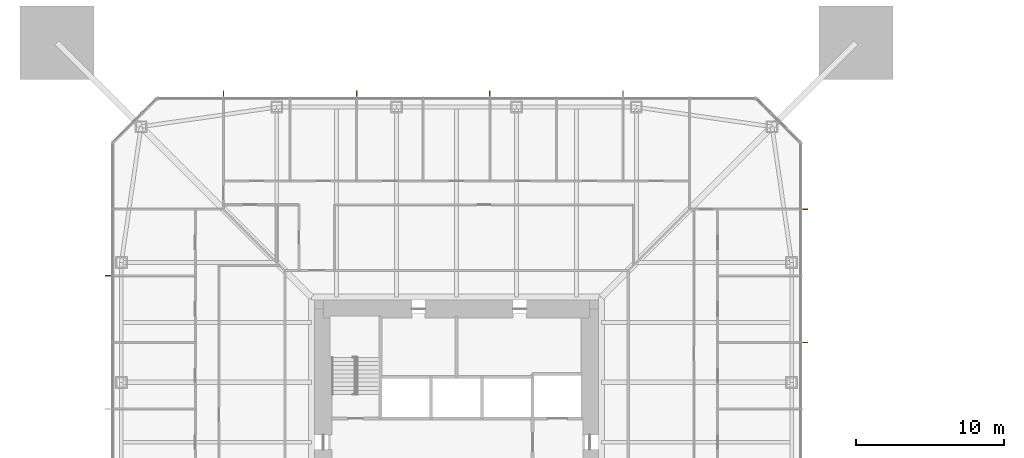
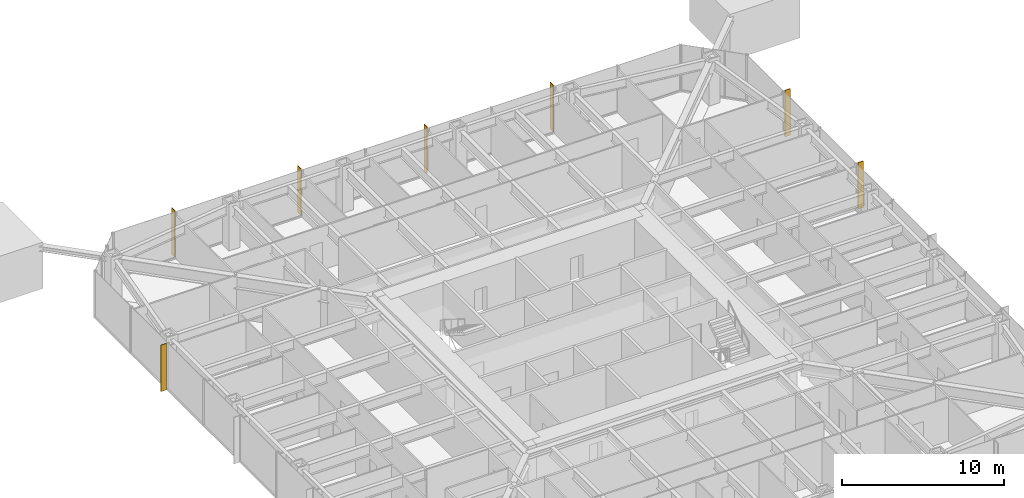
# One storey, part 25 of 26: 7 shading devices.
"""IFC4 building model written with IfcOpenShell, lengths in metres."""

from ifc_helpers import new_model, si_unit, direction, frame, origin, origin_2d, place, context, subcontext, project, spatial, rectangle, extrude, material, layer, layer_set, type_object, element, save


model = new_model("IFC4")

# Units and contexts
model_context = context("Model", 3, precision=1e-05, world=origin(), true_north=direction((0.0, 1.0)))
body_context = subcontext(model_context, "Body", "Model", "MODEL_VIEW")
ifc_project = project(units=[si_unit("LENGTHUNIT", "METRE"), si_unit("AREAUNIT", "SQUARE_METRE"), si_unit("VOLUMEUNIT", "CUBIC_METRE"), si_unit("PLANEANGLEUNIT", "RADIAN"), si_unit("MASSUNIT", "GRAM", prefix="KILO")], contexts=[model_context])

# Site, building, storey
site_placement = place(None, origin())
site = spatial("IfcSite", under=ifc_project, at=site_placement, CompositionType="ELEMENT")
building_placement = place(site_placement, origin())
building = spatial("IfcBuilding", under=site, at=building_placement, Name="Iwan Alto Co-Living Towers", CompositionType="ELEMENT")
storey_placement = place(building_placement, frame((0.0, 0.0, 22.0)))
storey = spatial("IfcBuildingStorey", under=building, at=storey_placement, Name="L05", CompositionType="ELEMENT", Elevation=22.0)

# Shading devices
ifc_material = material(Name="Aluminium 6063-T6 bronze anodised", Category="aluminium")
ifc_layer = layer(ifc_material, 0.050048828125)
ifc_layer_set = layer_set([ifc_layer], Name="BRONZE FIN 50X400")
shading_device_type = type_object("IfcShadingDeviceType", Name="BRONZE FIN 50X400", PredefinedType="USERDEFINED", material=ifc_layer_set)
for number, where, z_axis, x_axis, name in (
    (1, (23.550048828125, 6.75, 0.0), (0.0, 0.0, 1.0), (0.0, 1.0, 0.0), "Bronze fin L05"),
    (2, (23.550048828125, 15.75, 0.0), (0.0, 0.0, 1.0), (0.0, 1.0, 0.0), "Bronze fin L05"),
    (3, (11.25, 23.550048828125, 0.0), (0.0, 0.0, 1.0), (-1.0, 0.0, 0.0), "Bronze fin L05"),
    (4, (2.25, 23.550048828125, 0.0), (0.0, 0.0, 1.0), (-1.0, 0.0, 0.0), "Bronze fin L05"),
    (5, (-6.75, 23.550048828125, 0.0), (0.0, 0.0, 1.0), (-1.0, 0.0, 0.0), "Bronze fin L05"),
    (6, (-15.75, 23.550048828125, 0.0), (0.0, 0.0, 1.0), (-1.0, 0.0, 0.0), "Bronze fin L05"),
    (7, (-23.550048828125, 11.25, 0.0), (0.0, 0.0, 1.0), (0.0, -1.0, 0.0), "Bronze fin L05"),
):
    element("IfcShadingDevice", number, at=place(storey_placement, frame(where, z_axis=z_axis, x_axis=x_axis)), inside=storey, type_object=shading_device_type, Name=name, ObjectType="LOUVER", PredefinedType="USERDEFINED", context=body_context, shape_type="SweptSolid", body=[
        extrude(rectangle(XDim=0.050048828125, YDim=0.39990234375, at=origin_2d()), origin(), (0.0, 0.0, 1.0), 3.5),
    ])

save(model, "model.ifc")
